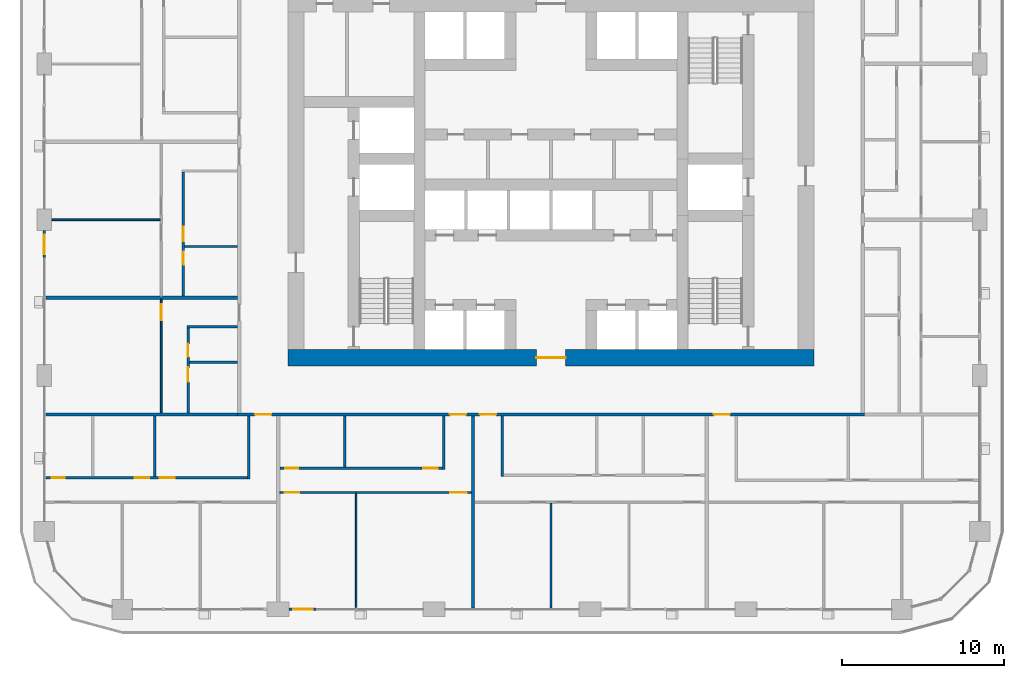
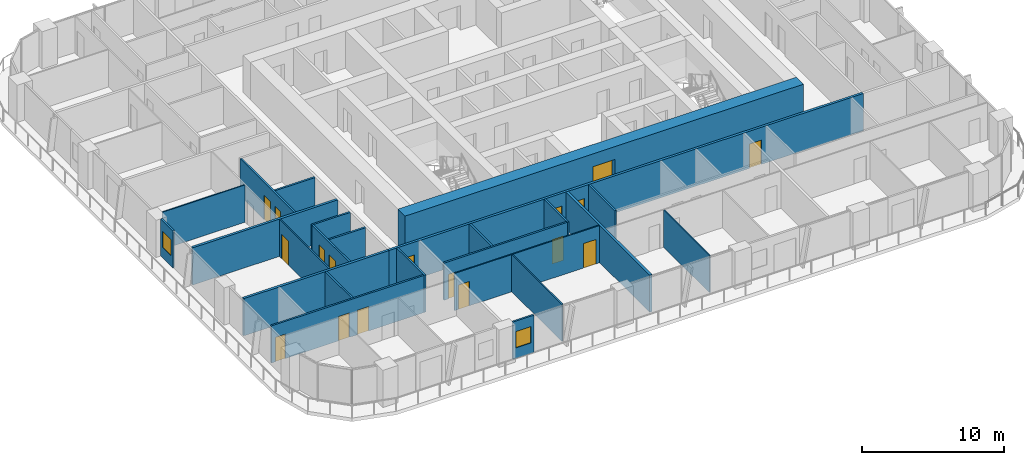
# One storey, part 9 of 21: 24 walls, 17 doors, 2 windows, 19 openings.
"""IFC4 building model written with IfcOpenShell, lengths in metres."""

from ifc_helpers import new_model, si_unit, direction, frame, frame_2d, origin, place, context, subcontext, project, spatial, rectangle, extrude, material, layer, layer_set, type_object, element, fill, save


model = new_model("IFC4")

# Units and contexts
model_context = context("Model", 3, precision=1e-05, world=origin(), true_north=direction((0.0, 1.0)))
body_context = subcontext(model_context, "Body", "Model", "MODEL_VIEW")
ifc_project = project(units=[si_unit("LENGTHUNIT", "METRE"), si_unit("AREAUNIT", "SQUARE_METRE"), si_unit("VOLUMEUNIT", "CUBIC_METRE"), si_unit("PLANEANGLEUNIT", "RADIAN"), si_unit("MASSUNIT", "GRAM", prefix="KILO")], contexts=[model_context])

# Site, building, storey
site_placement = place(None, origin())
site = spatial("IfcSite", under=ifc_project, at=site_placement, CompositionType="ELEMENT")
building_placement = place(site_placement, origin())
building = spatial("IfcBuilding", under=site, at=building_placement, Name="Madar Terraces", CompositionType="ELEMENT")
storey_placement = place(building_placement, frame((0.0, 0.0, 46.89990234375)))
storey = spatial("IfcBuildingStorey", under=building, at=storey_placement, Name="L11", CompositionType="ELEMENT", Elevation=46.89990234375)

# Wall, opening, door
ifc_material_1 = material(Name="Concrete C80/95", Category="concrete")
ifc_layer_1 = layer(ifc_material_1, 1.0)
ifc_layer_set_1 = layer_set([ifc_layer_1], Name="Concrete C80/95 (CRW1 RC wall 1000)")
wall_type_1 = type_object("IfcWallType", Name="CRW1 RC wall 1000", PredefinedType="SHEAR", material=ifc_layer_set_1)
wall_1_placement = place(storey_placement, frame((15.0, 15.5, 0.0), z_axis=(0.0, 0.0, 1.0), x_axis=(1.0, 0.0, 0.0)))
wall_1 = element("IfcWall", 1, at=wall_1_placement, inside=storey, type_object=wall_type_1, Name="CORE OUTER WALL", PredefinedType="SHEAR", context=body_context, shape_type="SweptSolid", body=[
    extrude(rectangle(XDim=32.39990234375, YDim=1.0, at=frame_2d((16.199951171875, 0.0))), origin(), (0.0, 0.0, 1.0), 3.2001953125),
])
opening_1_placement = place(wall_1_placement, frame((15.300048828125, 0.0, 0.0)))
opening_1 = element("IfcOpeningElement", 2, at=opening_1_placement, cuts=wall_1, Name="Opening KD1", PredefinedType="OPENING", context=body_context, shape_type="SweptSolid", body=[
    extrude(rectangle(XDim=1.800048828125, YDim=2.10009765625, at=frame_2d((0.89990234375, 1.050048828125))), frame((0.0, 0.510009765625, 0.0), z_axis=(0.0, -1.0, 0.0), x_axis=(1.0, 0.0, 0.0)), (0.0, 0.0, 1.0), 1.02001953125),
])
ifc_material_2 = material(Name="Steel door leaf", Category="steel")
door_type_1 = type_object("IfcDoorType", Name="Lobby door pair 1800 x 2100", OperationType="DOUBLE_DOOR_SINGLE_SWING", PredefinedType="DOOR", material=ifc_material_2)
door_1_placement = place(opening_1_placement, frame((1.800048828125, 0.0, 0.0), z_axis=(0.0, 0.0, 1.0), x_axis=(-1.0, 0.0, 0.0)))
door_1 = element("IfcDoor", 3, at=door_1_placement, inside=storey, type_object=door_type_1, Name="LIFT LOBBY DOOR", OperationType="DOUBLE_DOOR_SINGLE_SWING", OverallHeight=2.10009765625, OverallWidth=1.800048828125, PredefinedType="DOOR", context=body_context, shape_type="SweptSolid", body=[
    extrude(rectangle(XDim=1.800048828125, YDim=2.10009765625, at=frame_2d((0.89990234375, 1.050048828125))), frame((0.0, 0.02490234375, 0.0), z_axis=(0.0, -1.0, 0.0), x_axis=(1.0, 0.0, 0.0)), (0.0, 0.0, 1.0), 0.050048828125),
])
fill(opening_1, door_1)

# Wall, opening, window
ifc_material_3 = material(Name="Aluminium composite panel, black, over insulated backing", Category="aluminium")
ifc_layer_2 = layer(ifc_material_3, 0.14990234375)
ifc_layer_set_2 = layer_set([ifc_layer_2], Name="Facade bay panel 150")
wall_type_2 = type_object("IfcWallType", Name="Facade bay panel 150", PredefinedType="SOLIDWALL", material=ifc_layer_set_2)
wall_2_placement = place(storey_placement, frame((15.074951171875, 0.0, 0.0), z_axis=(0.0, 0.0, 1.0), x_axis=(1.0, 0.0, 0.0)))
wall_2 = element("IfcWall", 4, at=wall_2_placement, inside=storey, type_object=wall_type_2, Name="Facade bay panel", PredefinedType="SOLIDWALL", context=body_context, shape_type="SweptSolid", body=[
    extrude(rectangle(XDim=1.72509765625, YDim=0.14990234375, at=frame_2d((0.862548828125, 0.0))), origin(), (0.0, 0.0, 1.0), 3.2001953125),
])
opening_2_placement = place(wall_2_placement, frame((0.262451171875, 0.0, 0.89990234375)))
opening_2 = element("IfcOpeningElement", 5, at=opening_2_placement, cuts=wall_2, Name="Opening W1", PredefinedType="OPENING", context=body_context, shape_type="SweptSolid", body=[
    extrude(rectangle(XDim=1.199951171875, YDim=1.39990234375, at=frame_2d((0.60009765625, 0.699951171875))), frame((0.0, 0.0849609375, 0.0), z_axis=(0.0, -1.0, 0.0), x_axis=(1.0, 0.0, 0.0)), (0.0, 0.0, 1.0), 0.169921875),
])
ifc_material_4 = material(Name="Glass, clear, with black aluminium frame", Category="aluminium")
window_type = type_object("IfcWindowType", Name="Vent window 1200 x 1400", PartitioningType="SINGLE_PANEL", PredefinedType="WINDOW", material=ifc_material_4)
window_1_placement = place(opening_2_placement, origin())
window_1 = element("IfcWindow", 6, at=window_1_placement, inside=storey, type_object=window_type, Name="Operable vent window", OverallHeight=1.39990234375, OverallWidth=1.199951171875, PartitioningType="SINGLE_PANEL", PredefinedType="WINDOW", context=body_context, shape_type="SweptSolid", body=[
    extrude(rectangle(XDim=1.199951171875, YDim=1.39990234375, at=frame_2d((0.60009765625, 0.699951171875))), frame((0.0, 0.030029296875, 0.0), z_axis=(0.0, -1.0, 0.0), x_axis=(1.0, 0.0, 0.0)), (0.0, 0.0, 1.0), 0.06005859375),
])
fill(opening_2, window_1)

wall_3_placement = place(storey_placement, frame((0.0, 23.324951171875, 0.0), z_axis=(0.0, 0.0, 1.0), x_axis=(0.0, -1.0, 0.0)))
wall_3 = element("IfcWall", 7, at=wall_3_placement, inside=storey, type_object=wall_type_2, Name="Facade bay panel", PredefinedType="SOLIDWALL", context=body_context, shape_type="SweptSolid", body=[
    extrude(rectangle(XDim=1.724853515625, YDim=0.14990234375, at=frame_2d((0.8623046875, 0.0))), origin(), (0.0, 0.0, 1.0), 3.2001953125),
])
opening_3_placement = place(wall_3_placement, frame((0.262451171875, 0.0, 0.89990234375)))
opening_3 = element("IfcOpeningElement", 8, at=opening_3_placement, cuts=wall_3, Name="Opening W1", PredefinedType="OPENING", context=body_context, shape_type="SweptSolid", body=[
    extrude(rectangle(XDim=1.199951171875, YDim=1.39990234375, at=frame_2d((0.60009765625, 0.699951171875))), frame((0.0, 0.0849609375, 0.0), z_axis=(0.0, -1.0, 0.0), x_axis=(1.0, 0.0, 0.0)), (0.0, 0.0, 1.0), 0.169921875),
])
window_2_placement = place(opening_3_placement, origin())
window_2 = element("IfcWindow", 9, at=window_2_placement, inside=storey, type_object=window_type, Name="Operable vent window", OverallHeight=1.39990234375, OverallWidth=1.199951171875, PartitioningType="SINGLE_PANEL", PredefinedType="WINDOW", context=body_context, shape_type="SweptSolid", body=[
    extrude(rectangle(XDim=1.199951171875, YDim=1.39990234375, at=frame_2d((0.60009765625, 0.699951171875))), frame((0.0, 0.030029296875, 0.0), z_axis=(0.0, -1.0, 0.0), x_axis=(1.0, 0.0, 0.0)), (0.0, 0.0, 1.0), 0.06005859375),
])
fill(opening_3, window_2)

# Wall
ifc_material_5 = material(Name="Gypsum board on steel studs", Category="steel")
ifc_layer_3 = layer(ifc_material_5, 0.10009765625)
ifc_layer_set_3 = layer_set([ifc_layer_3], Name="Flat partition 100")
wall_type_3 = type_object("IfcWallType", Name="Flat partition 100", PredefinedType="PARTITIONING", material=ifc_layer_set_3)
wall_4_placement = place(storey_placement, frame((19.199951171875, 7.14990234375, 0.0), z_axis=(0.0, 0.0, 1.0), x_axis=(0.0, -1.0, 0.0)))
element("IfcWall", 10, at=wall_4_placement, inside=storey, type_object=wall_type_3, Name="Flat partition 100", PredefinedType="PARTITIONING", context=body_context, shape_type="SweptSolid", body=[
    extrude(rectangle(XDim=7.0498046875, YDim=0.10009765625, at=frame_2d((3.52490234375, 0.0))), origin(), (0.0, 0.0, 1.0), 3.2001953125),
])

# Wall, openings, doors
wall_5_placement = place(storey_placement, frame((26.300048828125, 7.199951171875, 0.0), z_axis=(0.0, 0.0, 1.0), x_axis=(-1.0, 0.0, 0.0)))
wall_5 = element("IfcWall", 11, at=wall_5_placement, inside=storey, type_object=wall_type_3, Name="Flat partition 100", PredefinedType="PARTITIONING", context=body_context, shape_type="SweptSolid", body=[
    extrude(rectangle(XDim=11.800048828125, YDim=0.10009765625, at=frame_2d((5.89990234375, 0.0))), origin(), (0.0, 0.0, 1.0), 3.2001953125),
])
opening_4_placement = place(wall_5_placement, frame((0.300048828125, 0.0, 0.0)))
opening_4 = element("IfcOpeningElement", 12, at=opening_4_placement, cuts=wall_5, Name="Opening D3", PredefinedType="OPENING", context=body_context, shape_type="SweptSolid", body=[
    extrude(rectangle(XDim=1.0, YDim=2.10009765625, at=frame_2d((0.5, 1.050048828125))), frame((0.0, 0.06005859375, 0.0), z_axis=(0.0, -1.0, 0.0), x_axis=(1.0, 0.0, 0.0)), (0.0, 0.0, 1.0), 0.1201171875),
])
opening_5_placement = place(wall_5_placement, frame((10.60009765625, 0.0, 0.0)))
opening_5 = element("IfcOpeningElement", 13, at=opening_5_placement, cuts=wall_5, Name="Opening D2", PredefinedType="OPENING", context=body_context, shape_type="SweptSolid", body=[
    extrude(rectangle(XDim=0.89990234375, YDim=2.10009765625, at=frame_2d((0.449951171875, 1.050048828125))), frame((0.0, 0.06005859375, 0.0), z_axis=(0.0, -1.0, 0.0), x_axis=(1.0, 0.0, 0.0)), (0.0, 0.0, 1.0), 0.1201171875),
])
ifc_material_6 = material(Name="Timber door leaf", Category="wood")
door_type_2 = type_object("IfcDoorType", Name="Flat living room door 1000", OperationType="NOTDEFINED", PredefinedType="DOOR", material=ifc_material_6)
door_2_placement = place(opening_4_placement, origin())
door_2 = element("IfcDoor", 14, at=door_2_placement, inside=storey, type_object=door_type_2, Name="Flat living room door 1000", OperationType="SINGLE_SWING_LEFT", OverallHeight=2.10009765625, OverallWidth=1.0, PredefinedType="DOOR", context=body_context, shape_type="SweptSolid", body=[
    extrude(rectangle(XDim=1.0, YDim=2.10009765625, at=frame_2d((0.5, 1.050048828125))), frame((0.0, 0.02490234375, 0.0), z_axis=(0.0, -1.0, 0.0), x_axis=(1.0, 0.0, 0.0)), (0.0, 0.0, 1.0), 0.050048828125),
])
fill(opening_4, door_2)
ifc_material_7 = material(Name="Timber door leaf", Category="wood")
door_type_3 = type_object("IfcDoorType", Name="Flat room door 900", OperationType="NOTDEFINED", PredefinedType="DOOR", material=ifc_material_7)
door_3_placement = place(opening_5_placement, origin())
door_3 = element("IfcDoor", 15, at=door_3_placement, inside=storey, type_object=door_type_3, Name="Flat room door 900", OperationType="SINGLE_SWING_RIGHT", OverallHeight=2.10009765625, OverallWidth=0.89990234375, PredefinedType="DOOR", context=body_context, shape_type="SweptSolid", body=[
    extrude(rectangle(XDim=0.89990234375, YDim=2.10009765625, at=frame_2d((0.449951171875, 1.050048828125))), frame((0.0, 0.02490234375, 0.0), z_axis=(0.0, -1.0, 0.0), x_axis=(1.0, 0.0, 0.0)), (0.0, 0.0, 1.0), 0.050048828125),
])
fill(opening_5, door_3)

# Walls
wall_6_placement = place(storey_placement, frame((31.199951171875, 6.550048828125, 0.0), z_axis=(0.0, 0.0, 1.0), x_axis=(0.0, -1.0, 0.0)))
element("IfcWall", 16, at=wall_6_placement, inside=storey, type_object=wall_type_3, Name="Flat partition 100", PredefinedType="PARTITIONING", context=body_context, shape_type="SweptSolid", body=[
    extrude(rectangle(XDim=6.449951171875, YDim=0.10009765625, at=frame_2d((3.22509765625, 0.0))), origin(), (0.0, 0.0, 1.0), 3.2001953125),
])
wall_7_placement = place(storey_placement, frame((7.14990234375, 24.0, 0.0), z_axis=(0.0, 0.0, 1.0), x_axis=(-1.0, 0.0, 0.0)))
element("IfcWall", 17, at=wall_7_placement, inside=storey, type_object=wall_type_3, Name="Flat partition 100", PredefinedType="PARTITIONING", context=body_context, shape_type="SweptSolid", body=[
    extrude(rectangle(XDim=6.699951171875, YDim=0.10009765625, at=frame_2d((3.35009765625, 0.0))), origin(), (0.0, 0.0, 1.0), 3.2001953125),
])

# Wall, opening, door
wall_8_placement = place(storey_placement, frame((7.199951171875, 12.10009765625, 0.0), z_axis=(0.0, 0.0, 1.0), x_axis=(0.0, 1.0, 0.0)))
wall_8 = element("IfcWall", 18, at=wall_8_placement, inside=storey, type_object=wall_type_3, Name="Flat partition 100", PredefinedType="PARTITIONING", context=body_context, shape_type="SweptSolid", body=[
    extrude(rectangle(XDim=7.0, YDim=0.10009765625, at=frame_2d((3.5, 0.0))), origin(), (0.0, 0.0, 1.0), 3.2001953125),
])
opening_6_placement = place(wall_8_placement, frame((5.699951171875, 0.0, 0.0)))
opening_6 = element("IfcOpeningElement", 19, at=opening_6_placement, cuts=wall_8, Name="Opening D3", PredefinedType="OPENING", context=body_context, shape_type="SweptSolid", body=[
    extrude(rectangle(XDim=1.0, YDim=2.10009765625, at=frame_2d((0.5, 1.050048828125))), frame((0.0, 0.06005859375, 0.0), z_axis=(0.0, -1.0, 0.0), x_axis=(1.0, 0.0, 0.0)), (0.0, 0.0, 1.0), 0.1201171875),
])
door_4_placement = place(opening_6_placement, origin())
door_4 = element("IfcDoor", 20, at=door_4_placement, inside=storey, type_object=door_type_2, Name="Flat living room door 1000", OperationType="SINGLE_SWING_RIGHT", OverallHeight=2.10009765625, OverallWidth=1.0, PredefinedType="DOOR", context=body_context, shape_type="SweptSolid", body=[
    extrude(rectangle(XDim=1.0, YDim=2.10009765625, at=frame_2d((0.5, 1.050048828125))), frame((0.0, 0.02490234375, 0.0), z_axis=(0.0, -1.0, 0.0), x_axis=(1.0, 0.0, 0.0)), (0.0, 0.0, 1.0), 0.050048828125),
])
fill(opening_6, door_4)

# Wall, openings, doors
ifc_material_8 = material(Name="Lightweight blockwork", Category="masonry")
ifc_layer_4 = layer(ifc_material_8, 0.199951171875)
ifc_layer_set_4 = layer_set([ifc_layer_4], Name="Flat party and entrance wall 200")
wall_type_4 = type_object("IfcWallType", Name="Flat party and entrance wall 200", PredefinedType="PARTITIONING", material=ifc_layer_set_4)
wall_9_placement = place(storey_placement, frame((50.5, 12.0, 0.0), z_axis=(0.0, 0.0, 1.0), x_axis=(-1.0, 0.0, 0.0)))
wall_9 = element("IfcWall", 21, at=wall_9_placement, inside=storey, type_object=wall_type_4, Name="Flat party and entrance wall 200", PredefinedType="PARTITIONING", context=body_context, shape_type="SweptSolid", body=[
    extrude(rectangle(XDim=38.60009765625, YDim=0.199951171875, at=frame_2d((19.300048828125, 0.0))), origin(), (0.0, 0.0, 1.0), 3.2001953125),
])
opening_7_placement = place(wall_9_placement, frame((36.52490234375, 0.0, 0.0)))
opening_7 = element("IfcOpeningElement", 22, at=opening_7_placement, cuts=wall_9, Name="Opening D1", PredefinedType="OPENING", context=body_context, shape_type="SweptSolid", body=[
    extrude(rectangle(XDim=1.0, YDim=2.10009765625, at=frame_2d((0.5, 1.050048828125))), frame((0.0, 0.10986328125, 0.0), z_axis=(0.0, -1.0, 0.0), x_axis=(1.0, 0.0, 0.0)), (0.0, 0.0, 1.0), 0.219970703125),
])
opening_8_placement = place(wall_9_placement, frame((24.52490234375, 0.0, 0.0)))
opening_8 = element("IfcOpeningElement", 23, at=opening_8_placement, cuts=wall_9, Name="Opening D1", PredefinedType="OPENING", context=body_context, shape_type="SweptSolid", body=[
    extrude(rectangle(XDim=1.0, YDim=2.10009765625, at=frame_2d((0.5, 1.050048828125))), frame((0.0, 0.10986328125, 0.0), z_axis=(0.0, -1.0, 0.0), x_axis=(1.0, 0.0, 0.0)), (0.0, 0.0, 1.0), 0.219970703125),
])
opening_9_placement = place(wall_9_placement, frame((22.675048828125, 0.0, 0.0)))
opening_9 = element("IfcOpeningElement", 24, at=opening_9_placement, cuts=wall_9, Name="Opening D1", PredefinedType="OPENING", context=body_context, shape_type="SweptSolid", body=[
    extrude(rectangle(XDim=1.0, YDim=2.10009765625, at=frame_2d((0.5, 1.050048828125))), frame((0.0, 0.10986328125, 0.0), z_axis=(0.0, -1.0, 0.0), x_axis=(1.0, 0.0, 0.0)), (0.0, 0.0, 1.0), 0.219970703125),
])
opening_10_placement = place(wall_9_placement, frame((8.27490234375, 0.0, 0.0)))
opening_10 = element("IfcOpeningElement", 25, at=opening_10_placement, cuts=wall_9, Name="Opening D1", PredefinedType="OPENING", context=body_context, shape_type="SweptSolid", body=[
    extrude(rectangle(XDim=1.0, YDim=2.10009765625, at=frame_2d((0.5, 1.050048828125))), frame((0.0, 0.10986328125, 0.0), z_axis=(0.0, -1.0, 0.0), x_axis=(1.0, 0.0, 0.0)), (0.0, 0.0, 1.0), 0.219970703125),
])
ifc_material_9 = material(Name="Timber fire door leaf", Category="wood")
door_type_4 = type_object("IfcDoorType", Name="Flat entrance door 1000 FD30S", OperationType="NOTDEFINED", PredefinedType="DOOR", material=ifc_material_9)
door_5_placement = place(opening_7_placement, origin())
door_5 = element("IfcDoor", 26, at=door_5_placement, inside=storey, type_object=door_type_4, Name="Flat entrance door 1000 FD30S", OperationType="SINGLE_SWING_LEFT", OverallHeight=2.10009765625, OverallWidth=1.0, PredefinedType="DOOR", context=body_context, shape_type="SweptSolid", body=[
    extrude(rectangle(XDim=1.0, YDim=2.10009765625, at=frame_2d((0.5, 1.050048828125))), frame((0.0, 0.02490234375, 0.0), z_axis=(0.0, -1.0, 0.0), x_axis=(1.0, 0.0, 0.0)), (0.0, 0.0, 1.0), 0.050048828125),
])
fill(opening_7, door_5)
door_6_placement = place(opening_8_placement, origin())
door_6 = element("IfcDoor", 27, at=door_6_placement, inside=storey, type_object=door_type_4, Name="Flat entrance door 1000 FD30S", OperationType="SINGLE_SWING_LEFT", OverallHeight=2.10009765625, OverallWidth=1.0, PredefinedType="DOOR", context=body_context, shape_type="SweptSolid", body=[
    extrude(rectangle(XDim=1.0, YDim=2.10009765625, at=frame_2d((0.5, 1.050048828125))), frame((0.0, 0.02490234375, 0.0), z_axis=(0.0, -1.0, 0.0), x_axis=(1.0, 0.0, 0.0)), (0.0, 0.0, 1.0), 0.050048828125),
])
fill(opening_8, door_6)
door_7_placement = place(opening_9_placement, origin())
door_7 = element("IfcDoor", 28, at=door_7_placement, inside=storey, type_object=door_type_4, Name="Flat entrance door 1000 FD30S", OperationType="SINGLE_SWING_RIGHT", OverallHeight=2.10009765625, OverallWidth=1.0, PredefinedType="DOOR", context=body_context, shape_type="SweptSolid", body=[
    extrude(rectangle(XDim=1.0, YDim=2.10009765625, at=frame_2d((0.5, 1.050048828125))), frame((0.0, 0.02490234375, 0.0), z_axis=(0.0, -1.0, 0.0), x_axis=(1.0, 0.0, 0.0)), (0.0, 0.0, 1.0), 0.050048828125),
])
fill(opening_9, door_7)
door_8_placement = place(opening_10_placement, origin())
door_8 = element("IfcDoor", 29, at=door_8_placement, inside=storey, type_object=door_type_4, Name="Flat entrance door 1000 FD30S", OperationType="SINGLE_SWING_RIGHT", OverallHeight=2.10009765625, OverallWidth=1.0, PredefinedType="DOOR", context=body_context, shape_type="SweptSolid", body=[
    extrude(rectangle(XDim=1.0, YDim=2.10009765625, at=frame_2d((0.5, 1.050048828125))), frame((0.0, 0.02490234375, 0.0), z_axis=(0.0, -1.0, 0.0), x_axis=(1.0, 0.0, 0.0)), (0.0, 0.0, 1.0), 0.050048828125),
])
fill(opening_10, door_8)

# Walls
for number, where, z_axis, x_axis, name in (
    (30, (0.10009765625, 12.0, 0.0), (0.0, 0.0, 1.0), (1.0, 0.0, 0.0), "Flat party and entrance wall 200"),
    (31, (26.39990234375, 11.89990234375, 0.0), (0.0, 0.0, 1.0), (0.0, -1.0, 0.0), "Flat party and entrance wall 200"),
    (32, (0.10009765625, 19.199951171875, 0.0), (0.0, 0.0, 1.0), (1.0, 0.0, 0.0), "Flat party and entrance wall 200"),
):
    element("IfcWall", number, at=place(storey_placement, frame(where, z_axis=z_axis, x_axis=x_axis)), inside=storey, type_object=wall_type_4, Name=name, PredefinedType="PARTITIONING", context=body_context, shape_type="SweptSolid", body=[
        extrude(rectangle(XDim=11.7998046875, YDim=0.199951171875, at=frame_2d((5.89990234375, 0.0))), origin(), (0.0, 0.0, 1.0), 3.2001953125),
    ])
ifc_material_10 = material(Name="Lightweight blockwork", Category="masonry")
ifc_layer_5 = layer(ifc_material_10, 0.14990234375)
ifc_layer_set_5 = layer_set([ifc_layer_5], Name="Flat wet-room partition 150")
wall_type_5 = type_object("IfcWallType", Name="Flat wet-room partition 150", PredefinedType="PARTITIONING", material=ifc_layer_set_5)
wall_10_placement = place(storey_placement, frame((6.790283203125, 11.89990234375, 0.0), z_axis=(0.0, 0.0, 1.0), x_axis=(0.0, -1.0, 0.0)))
element("IfcWall", 33, at=wall_10_placement, inside=storey, type_object=wall_type_5, Name="Flat wet-room partition 150", PredefinedType="PARTITIONING", context=body_context, shape_type="SweptSolid", body=[
    extrude(rectangle(XDim=3.724853515625, YDim=0.14990234375, at=frame_2d((1.8623046875, 0.0))), origin(), (0.0, 0.0, 1.0), 3.2001953125),
])
wall_11_placement = place(storey_placement, frame((12.60009765625, 11.89990234375, 0.0), z_axis=(0.0, 0.0, 1.0), x_axis=(0.0, -1.0, 0.0)))
element("IfcWall", 34, at=wall_11_placement, inside=storey, type_object=wall_type_5, Name="Flat wet-room partition 150", PredefinedType="PARTITIONING", context=body_context, shape_type="SweptSolid", body=[
    extrude(rectangle(XDim=3.875, YDim=0.14990234375, at=frame_2d((1.9375, 0.0))), origin(), (0.0, 0.0, 1.0), 3.2001953125),
])

# Wall, openings, doors
wall_12_placement = place(storey_placement, frame((0.10009765625, 8.10009765625, 0.0), z_axis=(0.0, 0.0, 1.0), x_axis=(1.0, 0.0, 0.0)))
wall_12 = element("IfcWall", 35, at=wall_12_placement, inside=storey, type_object=wall_type_5, Name="Flat wet-room partition 150", PredefinedType="PARTITIONING", context=body_context, shape_type="SweptSolid", body=[
    extrude(rectangle(XDim=12.4248046875, YDim=0.14990234375, at=frame_2d((6.21240234375, 0.0))), origin(), (0.0, 0.0, 1.0), 3.2001953125),
])
opening_11_placement = place(wall_12_placement, frame((7.015380859375, 0.0, 0.0)))
opening_11 = element("IfcOpeningElement", 36, at=opening_11_placement, cuts=wall_12, Name="Opening D2", PredefinedType="OPENING", context=body_context, shape_type="SweptSolid", body=[
    extrude(rectangle(XDim=0.89990234375, YDim=2.10009765625, at=frame_2d((0.449951171875, 1.050048828125))), frame((0.0, 0.0849609375, 0.0), z_axis=(0.0, -1.0, 0.0), x_axis=(1.0, 0.0, 0.0)), (0.0, 0.0, 1.0), 0.169921875),
])
opening_12_placement = place(wall_12_placement, frame((5.46533203125, 0.0, 0.0)))
opening_12 = element("IfcOpeningElement", 37, at=opening_12_placement, cuts=wall_12, Name="Opening D5", PredefinedType="OPENING", context=body_context, shape_type="SweptSolid", body=[
    extrude(rectangle(XDim=0.89990234375, YDim=2.10009765625, at=frame_2d((0.449951171875, 1.050048828125))), frame((0.0, 0.0849609375, 0.0), z_axis=(0.0, -1.0, 0.0), x_axis=(1.0, 0.0, 0.0)), (0.0, 0.0, 1.0), 0.169921875),
])
opening_13_placement = place(wall_12_placement, frame((0.35009765625, 0.0, 0.0)))
opening_13 = element("IfcOpeningElement", 38, at=opening_13_placement, cuts=wall_12, Name="Opening D4", PredefinedType="OPENING", context=body_context, shape_type="SweptSolid", body=[
    extrude(rectangle(XDim=0.800048828125, YDim=2.10009765625, at=frame_2d((0.39990234375, 1.050048828125))), frame((0.0, 0.0849609375, 0.0), z_axis=(0.0, -1.0, 0.0), x_axis=(1.0, 0.0, 0.0)), (0.0, 0.0, 1.0), 0.169921875),
])
ifc_material_11 = material(Name="Timber door leaf", Category="wood")
door_type_5 = type_object("IfcDoorType", Name="Flat accessible bathroom door 900", OperationType="NOTDEFINED", PredefinedType="DOOR", material=ifc_material_11)
door_9_placement = place(opening_12_placement, origin())
door_9 = element("IfcDoor", 39, at=door_9_placement, inside=storey, type_object=door_type_5, Name="Flat accessible bathroom door 900", OperationType="SINGLE_SWING_RIGHT", OverallHeight=2.10009765625, OverallWidth=0.89990234375, PredefinedType="DOOR", context=body_context, shape_type="SweptSolid", body=[
    extrude(rectangle(XDim=0.89990234375, YDim=2.10009765625, at=frame_2d((0.449951171875, 1.050048828125))), frame((0.0, 0.02490234375, 0.0), z_axis=(0.0, -1.0, 0.0), x_axis=(1.0, 0.0, 0.0)), (0.0, 0.0, 1.0), 0.050048828125),
])
fill(opening_12, door_9)
ifc_material_12 = material(Name="Timber door leaf", Category="wood")
door_type_6 = type_object("IfcDoorType", Name="Flat bathroom door 800", OperationType="NOTDEFINED", PredefinedType="DOOR", material=ifc_material_12)
door_10_placement = place(opening_13_placement, origin())
door_10 = element("IfcDoor", 40, at=door_10_placement, inside=storey, type_object=door_type_6, Name="Flat bathroom door 800", OperationType="SINGLE_SWING_LEFT", OverallHeight=2.10009765625, OverallWidth=0.800048828125, PredefinedType="DOOR", context=body_context, shape_type="SweptSolid", body=[
    extrude(rectangle(XDim=0.800048828125, YDim=2.10009765625, at=frame_2d((0.39990234375, 1.050048828125))), frame((0.0, 0.02490234375, 0.0), z_axis=(0.0, -1.0, 0.0), x_axis=(1.0, 0.0, 0.0)), (0.0, 0.0, 1.0), 0.050048828125),
])
fill(opening_13, door_10)
door_11_placement = place(opening_11_placement, origin())
door_11 = element("IfcDoor", 41, at=door_11_placement, inside=storey, type_object=door_type_3, Name="Flat room door 900", OperationType="SINGLE_SWING_LEFT", OverallHeight=2.10009765625, OverallWidth=0.89990234375, PredefinedType="DOOR", context=body_context, shape_type="SweptSolid", body=[
    extrude(rectangle(XDim=0.89990234375, YDim=2.10009765625, at=frame_2d((0.449951171875, 1.050048828125))), frame((0.0, 0.02490234375, 0.0), z_axis=(0.0, -1.0, 0.0), x_axis=(1.0, 0.0, 0.0)), (0.0, 0.0, 1.0), 0.050048828125),
])
fill(opening_11, door_11)

# Walls
wall_13_placement = place(storey_placement, frame((18.510009765625, 11.89990234375, 0.0), z_axis=(0.0, 0.0, 1.0), x_axis=(0.0, -1.0, 0.0)))
element("IfcWall", 42, at=wall_13_placement, inside=storey, type_object=wall_type_5, Name="Flat wet-room partition 150", PredefinedType="PARTITIONING", context=body_context, shape_type="SweptSolid", body=[
    extrude(rectangle(XDim=3.125, YDim=0.14990234375, at=frame_2d((1.5625, 0.0))), origin(), (0.0, 0.0, 1.0), 3.2001953125),
])
wall_14_placement = place(storey_placement, frame((24.60009765625, 11.89990234375, 0.0), z_axis=(0.0, 0.0, 1.0), x_axis=(0.0, -1.0, 0.0)))
element("IfcWall", 43, at=wall_14_placement, inside=storey, type_object=wall_type_5, Name="Flat wet-room partition 150", PredefinedType="PARTITIONING", context=body_context, shape_type="SweptSolid", body=[
    extrude(rectangle(XDim=3.27490234375, YDim=0.14990234375, at=frame_2d((1.637451171875, 0.0))), origin(), (0.0, 0.0, 1.0), 3.2001953125),
])

# Wall, openings, doors
wall_15_placement = place(storey_placement, frame((14.5, 8.699951171875, 0.0), z_axis=(0.0, 0.0, 1.0), x_axis=(1.0, 0.0, 0.0)))
wall_15 = element("IfcWall", 44, at=wall_15_placement, inside=storey, type_object=wall_type_5, Name="Flat wet-room partition 150", PredefinedType="PARTITIONING", context=body_context, shape_type="SweptSolid", body=[
    extrude(rectangle(XDim=10.02490234375, YDim=0.14990234375, at=frame_2d((5.012451171875, 0.0))), origin(), (0.0, 0.0, 1.0), 3.2001953125),
])
opening_14_placement = place(wall_15_placement, frame((8.824951171875, 0.0, 0.0)))
opening_14 = element("IfcOpeningElement", 45, at=opening_14_placement, cuts=wall_15, Name="Opening D2", PredefinedType="OPENING", context=body_context, shape_type="SweptSolid", body=[
    extrude(rectangle(XDim=0.89990234375, YDim=2.10009765625, at=frame_2d((0.449951171875, 1.050048828125))), frame((0.0, 0.0849609375, 0.0), z_axis=(0.0, -1.0, 0.0), x_axis=(1.0, 0.0, 0.0)), (0.0, 0.0, 1.0), 0.169921875),
])
opening_15_placement = place(wall_15_placement, frame((0.35009765625, 0.0, 0.0)))
opening_15 = element("IfcOpeningElement", 46, at=opening_15_placement, cuts=wall_15, Name="Opening D4", PredefinedType="OPENING", context=body_context, shape_type="SweptSolid", body=[
    extrude(rectangle(XDim=0.800048828125, YDim=2.10009765625, at=frame_2d((0.39990234375, 1.050048828125))), frame((0.0, 0.0849609375, 0.0), z_axis=(0.0, -1.0, 0.0), x_axis=(1.0, 0.0, 0.0)), (0.0, 0.0, 1.0), 0.169921875),
])
door_12_placement = place(opening_15_placement, origin())
door_12 = element("IfcDoor", 47, at=door_12_placement, inside=storey, type_object=door_type_6, Name="Flat bathroom door 800", OperationType="SINGLE_SWING_LEFT", OverallHeight=2.10009765625, OverallWidth=0.800048828125, PredefinedType="DOOR", context=body_context, shape_type="SweptSolid", body=[
    extrude(rectangle(XDim=0.800048828125, YDim=2.10009765625, at=frame_2d((0.39990234375, 1.050048828125))), frame((0.0, 0.02490234375, 0.0), z_axis=(0.0, -1.0, 0.0), x_axis=(1.0, 0.0, 0.0)), (0.0, 0.0, 1.0), 0.050048828125),
])
fill(opening_15, door_12)
door_13_placement = place(opening_14_placement, origin())
door_13 = element("IfcDoor", 48, at=door_13_placement, inside=storey, type_object=door_type_3, Name="Flat room door 900", OperationType="SINGLE_SWING_RIGHT", OverallHeight=2.10009765625, OverallWidth=0.89990234375, PredefinedType="DOOR", context=body_context, shape_type="SweptSolid", body=[
    extrude(rectangle(XDim=0.89990234375, YDim=2.10009765625, at=frame_2d((0.449951171875, 1.050048828125))), frame((0.0, 0.02490234375, 0.0), z_axis=(0.0, -1.0, 0.0), x_axis=(1.0, 0.0, 0.0)), (0.0, 0.0, 1.0), 0.050048828125),
])
fill(opening_14, door_13)

# Walls
wall_16_placement = place(storey_placement, frame((28.199951171875, 11.89990234375, 0.0), z_axis=(0.0, 0.0, 1.0), x_axis=(0.0, -1.0, 0.0)))
element("IfcWall", 49, at=wall_16_placement, inside=storey, type_object=wall_type_5, Name="Flat wet-room partition 150", PredefinedType="PARTITIONING", context=body_context, shape_type="SweptSolid", body=[
    extrude(rectangle(XDim=3.724853515625, YDim=0.14990234375, at=frame_2d((1.8623046875, 0.0))), origin(), (0.0, 0.0, 1.0), 3.2001953125),
])
wall_17_placement = place(storey_placement, frame((11.89990234375, 22.35009765625, 0.0), z_axis=(0.0, 0.0, 1.0), x_axis=(-1.0, 0.0, 0.0)))
element("IfcWall", 50, at=wall_17_placement, inside=storey, type_object=wall_type_5, Name="Flat wet-room partition 150", PredefinedType="PARTITIONING", context=body_context, shape_type="SweptSolid", body=[
    extrude(rectangle(XDim=3.27490234375, YDim=0.14990234375, at=frame_2d((1.637451171875, 0.0))), origin(), (0.0, 0.0, 1.0), 3.2001953125),
])

# Wall, openings, doors
wall_18_placement = place(storey_placement, frame((8.550048828125, 26.925048828125, 0.0), z_axis=(0.0, 0.0, 1.0), x_axis=(0.0, -1.0, 0.0)))
wall_18 = element("IfcWall", 51, at=wall_18_placement, inside=storey, type_object=wall_type_5, Name="Flat wet-room partition 150", PredefinedType="PARTITIONING", context=body_context, shape_type="SweptSolid", body=[
    extrude(rectangle(XDim=7.625, YDim=0.14990234375, at=frame_2d((3.8125, 0.0))), origin(), (0.0, 0.0, 1.0), 3.2001953125),
])
opening_16_placement = place(wall_18_placement, frame((3.35009765625, 0.0, 0.0)))
opening_16 = element("IfcOpeningElement", 52, at=opening_16_placement, cuts=wall_18, Name="Opening D2", PredefinedType="OPENING", context=body_context, shape_type="SweptSolid", body=[
    extrude(rectangle(XDim=0.89990234375, YDim=2.10009765625, at=frame_2d((0.449951171875, 1.050048828125))), frame((0.0, 0.0849609375, 0.0), z_axis=(0.0, -1.0, 0.0), x_axis=(1.0, 0.0, 0.0)), (0.0, 0.0, 1.0), 0.169921875),
])
opening_17_placement = place(wall_18_placement, frame((4.89990234375, 0.0, 0.0)))
opening_17 = element("IfcOpeningElement", 53, at=opening_17_placement, cuts=wall_18, Name="Opening D4", PredefinedType="OPENING", context=body_context, shape_type="SweptSolid", body=[
    extrude(rectangle(XDim=0.800048828125, YDim=2.10009765625, at=frame_2d((0.39990234375, 1.050048828125))), frame((0.0, 0.0849609375, 0.0), z_axis=(0.0, -1.0, 0.0), x_axis=(1.0, 0.0, 0.0)), (0.0, 0.0, 1.0), 0.169921875),
])
door_14_placement = place(opening_17_placement, origin())
door_14 = element("IfcDoor", 54, at=door_14_placement, inside=storey, type_object=door_type_6, Name="Flat bathroom door 800", OperationType="SINGLE_SWING_LEFT", OverallHeight=2.10009765625, OverallWidth=0.800048828125, PredefinedType="DOOR", context=body_context, shape_type="SweptSolid", body=[
    extrude(rectangle(XDim=0.800048828125, YDim=2.10009765625, at=frame_2d((0.39990234375, 1.050048828125))), frame((0.0, 0.02490234375, 0.0), z_axis=(0.0, -1.0, 0.0), x_axis=(1.0, 0.0, 0.0)), (0.0, 0.0, 1.0), 0.050048828125),
])
fill(opening_17, door_14)
door_15_placement = place(opening_16_placement, origin())
door_15 = element("IfcDoor", 55, at=door_15_placement, inside=storey, type_object=door_type_3, Name="Flat room door 900", OperationType="SINGLE_SWING_RIGHT", OverallHeight=2.10009765625, OverallWidth=0.89990234375, PredefinedType="DOOR", context=body_context, shape_type="SweptSolid", body=[
    extrude(rectangle(XDim=0.89990234375, YDim=2.10009765625, at=frame_2d((0.449951171875, 1.050048828125))), frame((0.0, 0.02490234375, 0.0), z_axis=(0.0, -1.0, 0.0), x_axis=(1.0, 0.0, 0.0)), (0.0, 0.0, 1.0), 0.050048828125),
])
fill(opening_16, door_15)

# Walls
wall_19_placement = place(storey_placement, frame((11.89990234375, 15.235107421875, 0.0), z_axis=(0.0, 0.0, 1.0), x_axis=(-1.0, 0.0, 0.0)))
element("IfcWall", 56, at=wall_19_placement, inside=storey, type_object=wall_type_5, Name="Flat wet-room partition 150", PredefinedType="PARTITIONING", context=body_context, shape_type="SweptSolid", body=[
    extrude(rectangle(XDim=2.974853515625, YDim=0.14990234375, at=frame_2d((1.4873046875, 0.0))), origin(), (0.0, 0.0, 1.0), 3.2001953125),
])
wall_20_placement = place(storey_placement, frame((11.89990234375, 17.39990234375, 0.0), z_axis=(0.0, 0.0, 1.0), x_axis=(-1.0, 0.0, 0.0)))
element("IfcWall", 57, at=wall_20_placement, inside=storey, type_object=wall_type_5, Name="Flat wet-room partition 150", PredefinedType="PARTITIONING", context=body_context, shape_type="SweptSolid", body=[
    extrude(rectangle(XDim=3.125, YDim=0.14990234375, at=frame_2d((1.5625, 0.0))), origin(), (0.0, 0.0, 1.0), 3.2001953125),
])

# Wall, openings, doors
wall_21_placement = place(storey_placement, frame((8.85009765625, 17.324951171875, 0.0), z_axis=(0.0, 0.0, 1.0), x_axis=(0.0, -1.0, 0.0)))
wall_21 = element("IfcWall", 58, at=wall_21_placement, inside=storey, type_object=wall_type_5, Name="Flat wet-room partition 150", PredefinedType="PARTITIONING", context=body_context, shape_type="SweptSolid", body=[
    extrude(rectangle(XDim=5.224853515625, YDim=0.14990234375, at=frame_2d((2.6123046875, 0.0))), origin(), (0.0, 0.0, 1.0), 3.2001953125),
])
opening_18_placement = place(wall_21_placement, frame((0.965087890625, 0.0, 0.0)))
opening_18 = element("IfcOpeningElement", 59, at=opening_18_placement, cuts=wall_21, Name="Opening D4", PredefinedType="OPENING", context=body_context, shape_type="SweptSolid", body=[
    extrude(rectangle(XDim=0.800048828125, YDim=2.10009765625, at=frame_2d((0.39990234375, 1.050048828125))), frame((0.0, 0.0849609375, 0.0), z_axis=(0.0, -1.0, 0.0), x_axis=(1.0, 0.0, 0.0)), (0.0, 0.0, 1.0), 0.169921875),
])
opening_19_placement = place(wall_21_placement, frame((2.4150390625, 0.0, 0.0)))
opening_19 = element("IfcOpeningElement", 60, at=opening_19_placement, cuts=wall_21, Name="Opening D2", PredefinedType="OPENING", context=body_context, shape_type="SweptSolid", body=[
    extrude(rectangle(XDim=0.89990234375, YDim=2.10009765625, at=frame_2d((0.449951171875, 1.050048828125))), frame((0.0, 0.0849609375, 0.0), z_axis=(0.0, -1.0, 0.0), x_axis=(1.0, 0.0, 0.0)), (0.0, 0.0, 1.0), 0.169921875),
])
door_16_placement = place(opening_18_placement, origin())
door_16 = element("IfcDoor", 61, at=door_16_placement, inside=storey, type_object=door_type_6, Name="Flat bathroom door 800", OperationType="SINGLE_SWING_RIGHT", OverallHeight=2.10009765625, OverallWidth=0.800048828125, PredefinedType="DOOR", context=body_context, shape_type="SweptSolid", body=[
    extrude(rectangle(XDim=0.800048828125, YDim=2.10009765625, at=frame_2d((0.39990234375, 1.050048828125))), frame((0.0, 0.02490234375, 0.0), z_axis=(0.0, -1.0, 0.0), x_axis=(1.0, 0.0, 0.0)), (0.0, 0.0, 1.0), 0.050048828125),
])
fill(opening_18, door_16)
door_17_placement = place(opening_19_placement, origin())
door_17 = element("IfcDoor", 62, at=door_17_placement, inside=storey, type_object=door_type_3, Name="Flat room door 900", OperationType="SINGLE_SWING_LEFT", OverallHeight=2.10009765625, OverallWidth=0.89990234375, PredefinedType="DOOR", context=body_context, shape_type="SweptSolid", body=[
    extrude(rectangle(XDim=0.89990234375, YDim=2.10009765625, at=frame_2d((0.449951171875, 1.050048828125))), frame((0.0, 0.02490234375, 0.0), z_axis=(0.0, -1.0, 0.0), x_axis=(1.0, 0.0, 0.0)), (0.0, 0.0, 1.0), 0.050048828125),
])
fill(opening_19, door_17)

save(model, "model.ifc")
